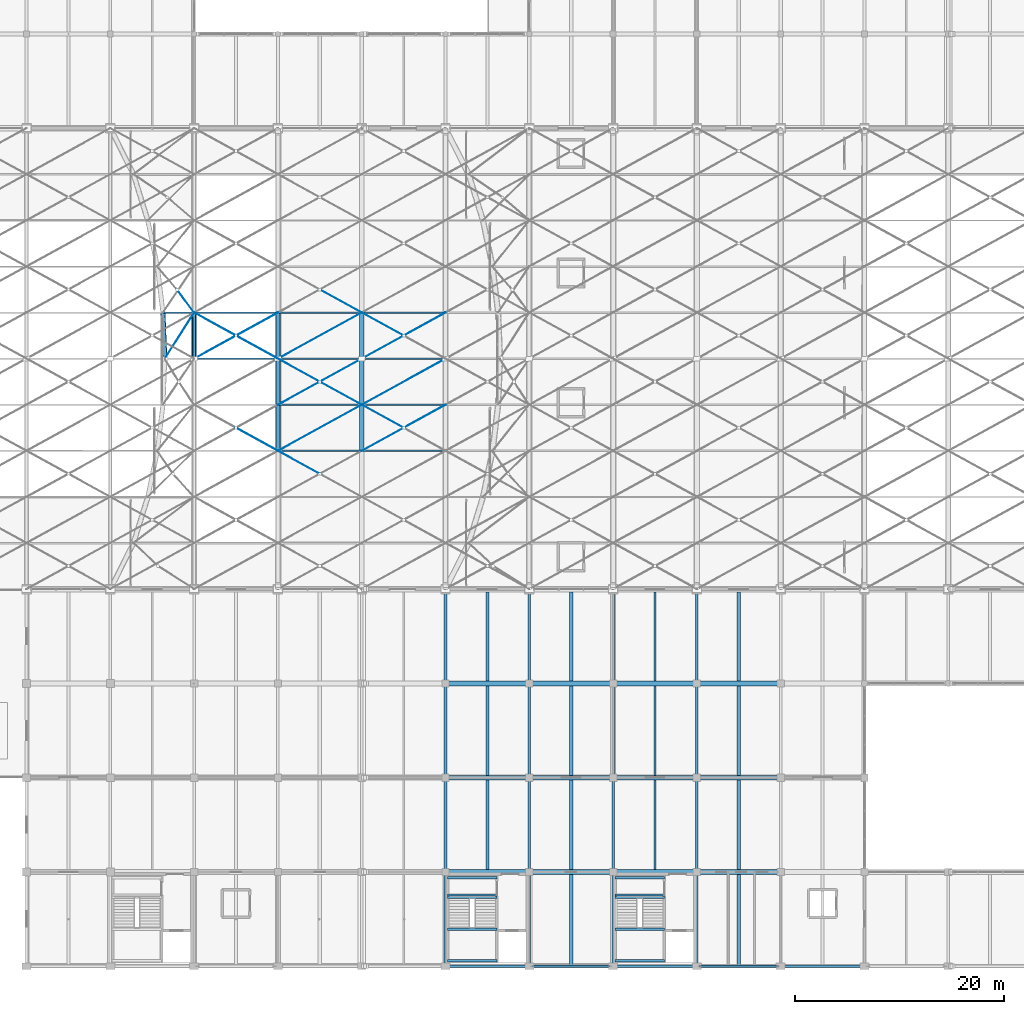
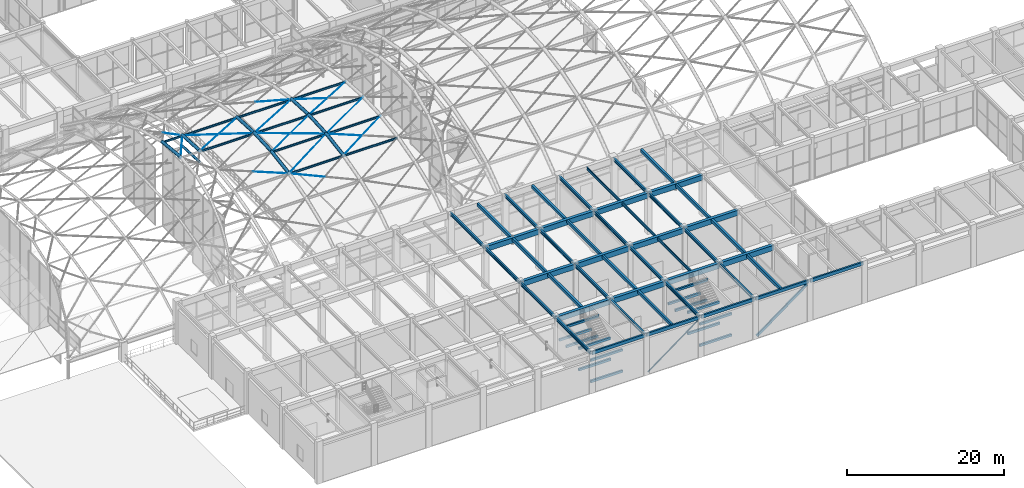
# One storey, part 28 of 163: 81 beams, 20 members.
"""IFC4 building model written with IfcOpenShell, lengths in metres."""

from ifc_helpers import new_model, si_unit, direction, frame, origin, origin_2d, place, context, subcontext, project, spatial, rectangle, hollow_rectangle, circle, hollow_circle, i_section, extrude, material, material_profile, profile_set, type_object, element, save


model = new_model("IFC4")

# Units and contexts
model_context = context("Model", 3, precision=1e-05, world=origin(), true_north=direction((0.0, 1.0)))
body_context = subcontext(model_context, "Body", "Model", "MODEL_VIEW")
ifc_project = project(units=[si_unit("LENGTHUNIT", "METRE"), si_unit("AREAUNIT", "SQUARE_METRE"), si_unit("VOLUMEUNIT", "CUBIC_METRE"), si_unit("PLANEANGLEUNIT", "RADIAN"), si_unit("MASSUNIT", "GRAM", prefix="KILO")], contexts=[model_context])

# Site, building, storey
site_placement = place(None, origin())
site = spatial("IfcSite", under=ifc_project, at=site_placement, CompositionType="ELEMENT")
building_placement = place(site_placement, origin())
building = spatial("IfcBuilding", under=site, at=building_placement, Name="Varnabhumi Central Station", CompositionType="ELEMENT")
storey_placement = place(building_placement, frame((0.0, 0.0, 9.60009765625)))
storey = spatial("IfcBuildingStorey", under=building, at=storey_placement, Name="L02", CompositionType="ELEMENT", Elevation=9.60009765625)

# Beams
ifc_material_1 = material(Name="Structural steel E350", Category="steel")
ifc_material_profile_1 = material_profile(ifc_material_1, hollow_circle(Radius=0.177734375, WallThickness=0.012451171875, at=origin_2d()), Name="Structural steel E350", Category="steel")
ifc_profile_set_1 = profile_set([ifc_material_profile_1], Name="Structural steel E350")
beam_type_1 = type_object("IfcBeamType", Name="BM-ARCH-CHS355", PredefinedType="BEAM", material=ifc_profile_set_1)
beam_1_placement = place(storey_placement, frame((48.0, 58.0, 9.0), z_axis=(0.0, 0.998941160779, -0.046006057233), x_axis=(-1.0, 0.0, 0.0)))
element("IfcBeam", 1, at=beam_1_placement, inside=storey, type_object=beam_type_1, Name="Entrance Portico Vault Arch Rib 5 Seg 6", PredefinedType="BEAM", context=body_context, shape_type="SweptSolid", body=[
    extrude(hollow_circle(Radius=0.177734375, WallThickness=0.012451171875, at=origin_2d()), origin(), (0.0, 0.0, 1.0), 4.404541015625),
])
ifc_material_2 = material(Name="Structural steel E450", Category="steel")
ifc_material_profile_2 = material_profile(ifc_material_2, hollow_circle(Radius=0.228515625, WallThickness=0.01611328125, at=origin_2d()), Name="Structural steel E450", Category="steel")
ifc_profile_set_2 = profile_set([ifc_material_profile_2], Name="Structural steel E450")
beam_type_2 = type_object("IfcBeamType", Name="BM-ARCH-CHS457", PredefinedType="BEAM", material=ifc_profile_set_2)
beam_2_placement = place(storey_placement, frame((45.199951171875, 58.0, 10.75), z_axis=(-0.039809826951, 0.997847985129, -0.052101595495), x_axis=(-0.999205116003, -0.039863970614, 0.0)))
element("IfcBeam", 2, at=beam_2_placement, inside=storey, type_object=beam_type_2, Name="Ticket Hall Vault Arch Rib 1 Seg 6", PredefinedType="BEAM", context=body_context, shape_type="SweptSolid", body=[
    extrude(hollow_circle(Radius=0.228515625, WallThickness=0.01611328125, at=origin_2d()), origin(), (0.0, 0.0, 1.0), 4.409423828125),
])
beam_3_placement = place(storey_placement, frame((48.0, 58.0, 10.75), z_axis=(0.0, 0.998639632098, -0.052142930518), x_axis=(-1.0, 0.0, 0.0)))
element("IfcBeam", 3, at=beam_3_placement, inside=storey, type_object=beam_type_2, Name="Ticket Hall Vault Arch Rib 2 Seg 6", PredefinedType="BEAM", context=body_context, shape_type="SweptSolid", body=[
    extrude(hollow_circle(Radius=0.228515625, WallThickness=0.01611328125, at=origin_2d()), origin(), (0.0, 0.0, 1.0), 4.406005859375),
])
beam_4_placement = place(storey_placement, frame((56.0, 49.199951171875, 9.8232421875), z_axis=(0.0, 0.987684638155, 0.156457839535), x_axis=(-1.0, 0.0, 0.0)))
element("IfcBeam", 4, at=beam_4_placement, inside=storey, type_object=beam_type_2, Name="Ticket Hall Vault Arch Rib 3 Seg 4", PredefinedType="BEAM", context=body_context, shape_type="SweptSolid", body=[
    extrude(hollow_circle(Radius=0.228515625, WallThickness=0.01611328125, at=origin_2d()), origin(), (0.0, 0.0, 1.0), 4.455078125),
])
for number, where, z_axis, x_axis, name in (
    (5, (56.0, 53.60009765625, 10.520263671875), (0.0, 0.998639632098, 0.052142930518), (-1.0, 0.0, 0.0), "Ticket Hall Vault Arch Rib 3 Seg 5"),
    (6, (56.0, 58.0, 10.75), (0.0, 0.998639632098, -0.052142930518), (-1.0, 0.0, 0.0), "Ticket Hall Vault Arch Rib 3 Seg 6"),
):
    element("IfcBeam", number, at=place(storey_placement, frame(where, z_axis=z_axis, x_axis=x_axis)), inside=storey, type_object=beam_type_2, Name=name, PredefinedType="BEAM", context=body_context, shape_type="SweptSolid", body=[
        extrude(hollow_circle(Radius=0.228515625, WallThickness=0.01611328125, at=origin_2d()), origin(), (0.0, 0.0, 1.0), 4.406005859375),
    ])
beam_5_placement = place(storey_placement, frame((64.0, 49.199951171875, 9.8232421875), z_axis=(0.0, 0.987684638155, 0.156457839535), x_axis=(-1.0, 0.0, 0.0)))
element("IfcBeam", 7, at=beam_5_placement, inside=storey, type_object=beam_type_2, Name="Ticket Hall Vault Arch Rib 4 Seg 4", PredefinedType="BEAM", context=body_context, shape_type="SweptSolid", body=[
    extrude(hollow_circle(Radius=0.228515625, WallThickness=0.01611328125, at=origin_2d()), origin(), (0.0, 0.0, 1.0), 4.455078125),
])
for number, where, z_axis, x_axis, name in (
    (8, (64.0, 53.60009765625, 10.520263671875), (0.0, 0.998639632098, 0.052142930518), (-1.0, 0.0, 0.0), "Ticket Hall Vault Arch Rib 4 Seg 5"),
    (9, (64.0, 58.0, 10.75), (0.0, 0.998639632098, -0.052142930518), (-1.0, 0.0, 0.0), "Ticket Hall Vault Arch Rib 4 Seg 6"),
):
    element("IfcBeam", number, at=place(storey_placement, frame(where, z_axis=z_axis, x_axis=x_axis)), inside=storey, type_object=beam_type_2, Name=name, PredefinedType="BEAM", context=body_context, shape_type="SweptSolid", body=[
        extrude(hollow_circle(Radius=0.228515625, WallThickness=0.01611328125, at=origin_2d()), origin(), (0.0, 0.0, 1.0), 4.406005859375),
    ])
ifc_material_profile_3 = material_profile(ifc_material_1, i_section(OverallWidth=0.14990234375, OverallDepth=0.449951171875, WebThickness=0.009521484375, FlangeThickness=0.017333984375, FilletRadius=0.014892578125, at=origin_2d()), Name="Structural steel E350", Category="steel")
ifc_profile_set_3 = profile_set([ifc_material_profile_3], Name="Structural steel E350")
beam_type_3 = type_object("IfcBeamType", Name="BM-JST-ISMB450", PredefinedType="JOIST", material=ifc_profile_set_3)
for number, where, z_axis, x_axis, name in (
    (10, (92.0, 9.22509765625, 6.125), (0.0, 1.0, 0.0), (-1.0, 0.0, 0.0), "Secondary Joist L02-12/13:B-C"),
    (11, (92.0, 18.22509765625, 6.125), (0.0, 1.0, 0.0), (-1.0, 0.0, 0.0), "Secondary Joist L02-12/13:C-D"),
):
    element("IfcBeam", number, at=place(storey_placement, frame(where, z_axis=z_axis, x_axis=x_axis)), inside=storey, type_object=beam_type_3, Name=name, PredefinedType="JOIST", context=body_context, shape_type="SweptSolid", body=[
        extrude(i_section(OverallWidth=0.14990234375, OverallDepth=0.449951171875, WebThickness=0.009521484375, FlangeThickness=0.017333984375, FilletRadius=0.014892578125, at=origin_2d()), origin(), (0.0, 0.0, 1.0), 8.5498046875),
    ])
beam_6_placement = place(storey_placement, frame((92.0, 27.22509765625, 6.125), z_axis=(0.0, 1.0, 0.0), x_axis=(-1.0, 0.0, 0.0)))
element("IfcBeam", 12, at=beam_6_placement, inside=storey, type_object=beam_type_3, Name="Secondary Joist L02-12/13:D-E", PredefinedType="JOIST", context=body_context, shape_type="SweptSolid", body=[
    extrude(i_section(OverallWidth=0.14990234375, OverallDepth=0.449951171875, WebThickness=0.009521484375, FlangeThickness=0.017333984375, FilletRadius=0.014892578125, at=origin_2d()), origin(), (0.0, 0.0, 1.0), 8.52490234375),
])
ifc_material_profile_4 = material_profile(ifc_material_1, i_section(OverallWidth=0.139892578125, OverallDepth=0.300048828125, WebThickness=0.0078125, FlangeThickness=0.01318359375, FilletRadius=0.013916015625, at=origin_2d()), Name="Structural steel E350", Category="steel")
ifc_profile_set_4 = profile_set([ifc_material_profile_4], Name="Structural steel E350")
beam_type_4 = type_object("IfcBeamType", Name="BM-PUR-ISMB300", PredefinedType="LINTEL", material=ifc_profile_set_4)
beam_7_placement = place(storey_placement, frame((45.0244140625, 62.39990234375, 10.370361328125), z_axis=(1.0, 0.0, 0.0), x_axis=(0.0, 1.0, 0.0)))
element("IfcBeam", 13, at=beam_7_placement, inside=storey, type_object=beam_type_4, Name="Ticket Hall Vault Purlin B1-L6", PredefinedType="LINTEL", context=body_context, shape_type="SweptSolid", body=[
    extrude(i_section(OverallWidth=0.139892578125, OverallDepth=0.300048828125, WebThickness=0.0078125, FlangeThickness=0.01318359375, FilletRadius=0.013916015625, at=origin_2d()), origin(), (0.0, 0.0, 1.0), 2.9755859375),
])
for number, where, z_axis, x_axis, name in (
    (14, (48.0, 58.0, 10.599853515625), (1.0, 0.0, 0.0), (0.0, 1.0, 0.0), "Ticket Hall Vault Purlin B2-L5"),
    (15, (48.0, 62.39990234375, 10.370361328125), (1.0, 0.0, 0.0), (0.0, 1.0, 0.0), "Ticket Hall Vault Purlin B2-L6"),
    (16, (56.0, 49.199951171875, 9.67333984375), (1.0, 0.0, 0.0), (0.0, 1.0, 0.0), "Ticket Hall Vault Purlin B3-L3"),
    (17, (56.0, 53.60009765625, 10.370361328125), (1.0, 0.0, 0.0), (0.0, 1.0, 0.0), "Ticket Hall Vault Purlin B3-L4"),
    (18, (56.0, 58.0, 10.599853515625), (1.0, 0.0, 0.0), (0.0, 1.0, 0.0), "Ticket Hall Vault Purlin B3-L5"),
    (19, (56.0, 62.39990234375, 10.370361328125), (1.0, 0.0, 0.0), (0.0, 1.0, 0.0), "Ticket Hall Vault Purlin B3-L6"),
    (20, (64.0, 49.199951171875, 9.67333984375), (1.0, 0.0, 0.0), (0.0, 1.0, 0.0), "Ticket Hall Vault Purlin B4-L3"),
    (21, (64.0, 53.60009765625, 10.370361328125), (1.0, 0.0, 0.0), (0.0, 1.0, 0.0), "Ticket Hall Vault Purlin B4-L4"),
    (22, (64.0, 58.0, 10.599853515625), (1.0, 0.0, 0.0), (0.0, 1.0, 0.0), "Ticket Hall Vault Purlin B4-L5"),
    (23, (64.0, 62.39990234375, 10.370361328125), (1.0, 0.0, 0.0), (0.0, 1.0, 0.0), "Ticket Hall Vault Purlin B4-L6"),
):
    element("IfcBeam", number, at=place(storey_placement, frame(where, z_axis=z_axis, x_axis=x_axis)), inside=storey, type_object=beam_type_4, Name=name, PredefinedType="LINTEL", context=body_context, shape_type="SweptSolid", body=[
        extrude(i_section(OverallWidth=0.139892578125, OverallDepth=0.300048828125, WebThickness=0.0078125, FlangeThickness=0.01318359375, FilletRadius=0.013916015625, at=origin_2d()), origin(), (0.0, 0.0, 1.0), 8.0),
    ])
ifc_material_3 = material(Name="Concrete M35", Category="concrete")
ifc_material_profile_5 = material_profile(ifc_material_3, rectangle(XDim=0.25, YDim=0.35009765625, at=origin_2d()), Name="Concrete M35", Category="concrete")
ifc_profile_set_5 = profile_set([ifc_material_profile_5], Name="Concrete M35")
beam_type_5 = type_object("IfcBeamType", Name="BM-RC-250x350", PredefinedType="LINTEL", material=ifc_profile_set_5)
for number, where, z_axis, x_axis, name in (
    (24, (88.179931640625, 0.5400390625, 1.294921875), (1.0, 0.0, 0.0), (0.0, 1.0, 0.0), "ST-S2 L02 Quarter Landing 1 Support Beam 1"),
    (25, (88.179931640625, 3.550048828125, 1.294921875), (1.0, 0.0, 0.0), (0.0, 1.0, 0.0), "ST-S2 L02 Quarter Landing 1 Support Beam 2"),
    (26, (88.179931640625, 6.760009765625, 2.94482421875), (1.0, 0.0, 0.0), (0.0, 1.0, 0.0), "ST-S2 L02 Mid-Height Landing Support Beam 1"),
    (27, (88.179931640625, 8.4599609375, 2.94482421875), (1.0, 0.0, 0.0), (0.0, 1.0, 0.0), "ST-S2 L02 Mid-Height Landing Support Beam 2"),
    (28, (88.179931640625, 0.5400390625, 4.594970703125), (1.0, 0.0, 0.0), (0.0, 1.0, 0.0), "ST-S2 L02 Quarter Landing 3 Support Beam 1"),
    (29, (88.179931640625, 3.550048828125, 4.594970703125), (1.0, 0.0, 0.0), (0.0, 1.0, 0.0), "ST-S2 L02 Quarter Landing 3 Support Beam 2"),
    (30, (88.179931640625, 6.580078125, 6.1748046875), (1.0, 0.0, 0.0), (0.0, 1.0, 0.0), "ST-S2 L02 Floor Opening Trimmer Beam"),
    (31, (72.179931640625, 0.5400390625, 1.294921875), (1.0, 0.0, 0.0), (0.0, 1.0, 0.0), "ST-S4 L02 Quarter Landing 1 Support Beam 1"),
    (32, (72.179931640625, 3.550048828125, 1.294921875), (1.0, 0.0, 0.0), (0.0, 1.0, 0.0), "ST-S4 L02 Quarter Landing 1 Support Beam 2"),
    (33, (72.179931640625, 6.760009765625, 2.94482421875), (1.0, 0.0, 0.0), (0.0, 1.0, 0.0), "ST-S4 L02 Mid-Height Landing Support Beam 1"),
    (34, (72.179931640625, 8.4599609375, 2.94482421875), (1.0, 0.0, 0.0), (0.0, 1.0, 0.0), "ST-S4 L02 Mid-Height Landing Support Beam 2"),
    (35, (72.179931640625, 0.5400390625, 4.594970703125), (1.0, 0.0, 0.0), (0.0, 1.0, 0.0), "ST-S4 L02 Quarter Landing 3 Support Beam 1"),
    (36, (72.179931640625, 3.550048828125, 4.594970703125), (1.0, 0.0, 0.0), (0.0, 1.0, 0.0), "ST-S4 L02 Quarter Landing 3 Support Beam 2"),
    (37, (72.179931640625, 6.580078125, 6.1748046875), (1.0, 0.0, 0.0), (0.0, 1.0, 0.0), "ST-S4 L02 Floor Opening Trimmer Beam"),
):
    element("IfcBeam", number, at=place(storey_placement, frame(where, z_axis=z_axis, x_axis=x_axis)), inside=storey, type_object=beam_type_5, Name=name, PredefinedType="LINTEL", context=body_context, shape_type="SweptSolid", body=[
        extrude(rectangle(XDim=0.25, YDim=0.35009765625, at=origin_2d()), origin(), (0.0, 0.0, 1.0), 4.719970703125),
    ])
ifc_material_4 = material(Name="Concrete M40", Category="concrete")
ifc_material_profile_6 = material_profile(ifc_material_4, rectangle(XDim=0.25, YDim=0.5, at=origin_2d()), Name="Concrete M40", Category="concrete")
ifc_profile_set_6 = profile_set([ifc_material_profile_6], Name="Concrete M40")
beam_type_6 = type_object("IfcBeamType", Name="BM-RC-250x500", PredefinedType="SPANDREL", material=ifc_profile_set_6)
for number, where, z_axis, x_axis, name in (
    (38, (72.10009765625, 0.0, 6.099853515625), (1.0, 0.0, 0.0), (0.0, 1.0, 0.0), "Beam L02-A:10-11"),
    (39, (80.10009765625, 0.0, 6.099853515625), (1.0, 0.0, 0.0), (0.0, 1.0, 0.0), "Beam L02-A:11-12"),
    (40, (88.10009765625, 0.0, 6.099853515625), (1.0, 0.0, 0.0), (0.0, 1.0, 0.0), "Beam L02-A:12-13"),
    (41, (96.10009765625, 0.0, 6.099853515625), (1.0, 0.0, 0.0), (0.0, 1.0, 0.0), "Beam L02-A:13-14"),
    (42, (104.10009765625, 0.0, 6.099853515625), (1.0, 0.0, 0.0), (0.0, 1.0, 0.0), "Beam L02-A:14-15"),
):
    element("IfcBeam", number, at=place(storey_placement, frame(where, z_axis=z_axis, x_axis=x_axis)), inside=storey, type_object=beam_type_6, Name=name, PredefinedType="SPANDREL", context=body_context, shape_type="SweptSolid", body=[
        extrude(rectangle(XDim=0.25, YDim=0.5, at=origin_2d()), origin(), (0.0, 0.0, 1.0), 7.7998046875),
    ])
ifc_material_profile_7 = material_profile(ifc_material_4, rectangle(XDim=0.300048828125, YDim=0.449951171875, at=origin_2d()), Name="Concrete M40", Category="concrete")
ifc_profile_set_7 = profile_set([ifc_material_profile_7], Name="Concrete M40")
beam_type_7 = type_object("IfcBeamType", Name="BM-RC-300x450", PredefinedType="JOIST", material=ifc_profile_set_7)
beam_8_placement = place(storey_placement, frame((84.0, 0.125, 6.125), z_axis=(0.0, 1.0, 0.0), x_axis=(-1.0, 0.0, 0.0)))
element("IfcBeam", 43, at=beam_8_placement, inside=storey, type_object=beam_type_7, Name="Secondary Joist L02-11/12:A-B", PredefinedType="JOIST", context=body_context, shape_type="SweptSolid", body=[
    extrude(rectangle(XDim=0.300048828125, YDim=0.449951171875, at=origin_2d()), origin(), (0.0, 0.0, 1.0), 8.64990234375),
])
for number, where, z_axis, x_axis, name in (
    (44, (84.0, 9.22509765625, 6.125), (0.0, 1.0, 0.0), (-1.0, 0.0, 0.0), "Secondary Joist L02-11/12:B-C"),
    (45, (84.0, 18.22509765625, 6.125), (0.0, 1.0, 0.0), (-1.0, 0.0, 0.0), "Secondary Joist L02-11/12:C-D"),
):
    element("IfcBeam", number, at=place(storey_placement, frame(where, z_axis=z_axis, x_axis=x_axis)), inside=storey, type_object=beam_type_7, Name=name, PredefinedType="JOIST", context=body_context, shape_type="SweptSolid", body=[
        extrude(rectangle(XDim=0.300048828125, YDim=0.449951171875, at=origin_2d()), origin(), (0.0, 0.0, 1.0), 8.5498046875),
    ])
beam_9_placement = place(storey_placement, frame((84.0, 27.22509765625, 6.125), z_axis=(0.0, 1.0, 0.0), x_axis=(-1.0, 0.0, 0.0)))
element("IfcBeam", 46, at=beam_9_placement, inside=storey, type_object=beam_type_7, Name="Secondary Joist L02-11/12:D-E", PredefinedType="JOIST", context=body_context, shape_type="SweptSolid", body=[
    extrude(rectangle(XDim=0.300048828125, YDim=0.449951171875, at=origin_2d()), origin(), (0.0, 0.0, 1.0), 8.52490234375),
])
ifc_material_profile_8 = material_profile(ifc_material_4, rectangle(XDim=0.300048828125, YDim=0.5, at=origin_2d()), Name="Concrete M40", Category="concrete")
ifc_profile_set_8 = profile_set([ifc_material_profile_8], Name="Concrete M40")
beam_type_8 = type_object("IfcBeamType", Name="BM-RC-300x500", PredefinedType="JOIST", material=ifc_profile_set_8)
beam_10_placement = place(storey_placement, frame((100.0, 0.125, 6.099853515625), z_axis=(0.0, 1.0, 0.0), x_axis=(-1.0, 0.0, 0.0)))
element("IfcBeam", 47, at=beam_10_placement, inside=storey, type_object=beam_type_8, Name="Secondary Joist L02-13/14:A-B", PredefinedType="JOIST", context=body_context, shape_type="SweptSolid", body=[
    extrude(rectangle(XDim=0.300048828125, YDim=0.5, at=origin_2d()), origin(), (0.0, 0.0, 1.0), 8.64990234375),
])
for number, where, z_axis, x_axis, name in (
    (48, (76.0, 9.22509765625, 6.099853515625), (0.0, 1.0, 0.0), (-1.0, 0.0, 0.0), "Secondary Joist L02-10/11:B-C"),
    (49, (100.0, 9.22509765625, 6.099853515625), (0.0, 1.0, 0.0), (-1.0, 0.0, 0.0), "Secondary Joist L02-13/14:B-C"),
    (50, (76.0, 18.22509765625, 6.099853515625), (0.0, 1.0, 0.0), (-1.0, 0.0, 0.0), "Secondary Joist L02-10/11:C-D"),
    (51, (100.0, 18.22509765625, 6.099853515625), (0.0, 1.0, 0.0), (-1.0, 0.0, 0.0), "Secondary Joist L02-13/14:C-D"),
):
    element("IfcBeam", number, at=place(storey_placement, frame(where, z_axis=z_axis, x_axis=x_axis)), inside=storey, type_object=beam_type_8, Name=name, PredefinedType="JOIST", context=body_context, shape_type="SweptSolid", body=[
        extrude(rectangle(XDim=0.300048828125, YDim=0.5, at=origin_2d()), origin(), (0.0, 0.0, 1.0), 8.5498046875),
    ])
for number, where, z_axis, x_axis, name in (
    (52, (76.0, 27.22509765625, 6.099853515625), (0.0, 1.0, 0.0), (-1.0, 0.0, 0.0), "Secondary Joist L02-10/11:D-E"),
    (53, (100.0, 27.22509765625, 6.099853515625), (0.0, 1.0, 0.0), (-1.0, 0.0, 0.0), "Secondary Joist L02-13/14:D-E"),
):
    element("IfcBeam", number, at=place(storey_placement, frame(where, z_axis=z_axis, x_axis=x_axis)), inside=storey, type_object=beam_type_8, Name=name, PredefinedType="JOIST", context=body_context, shape_type="SweptSolid", body=[
        extrude(rectangle(XDim=0.300048828125, YDim=0.5, at=origin_2d()), origin(), (0.0, 0.0, 1.0), 8.52490234375),
    ])
ifc_material_profile_9 = material_profile(ifc_material_4, rectangle(XDim=0.449951171875, YDim=0.800048828125, at=origin_2d()), Name="Concrete M40", Category="concrete")
ifc_profile_set_9 = profile_set([ifc_material_profile_9], Name="Concrete M40")
beam_type_9 = type_object("IfcBeamType", Name="BM-RC-450x800", PredefinedType="BEAM", material=ifc_profile_set_9)
for number, where, z_axis, x_axis, name in (
    (54, (72.10009765625, 9.0, 5.949951171875), (1.0, 0.0, 0.0), (0.0, 1.0, 0.0), "Beam L02-B:10-11"),
    (55, (72.10009765625, 18.0, 5.949951171875), (1.0, 0.0, 0.0), (0.0, 1.0, 0.0), "Beam L02-C:10-11"),
    (56, (72.10009765625, 27.0, 5.949951171875), (1.0, 0.0, 0.0), (0.0, 1.0, 0.0), "Beam L02-D:10-11"),
    (57, (80.10009765625, 9.0, 5.949951171875), (1.0, 0.0, 0.0), (0.0, 1.0, 0.0), "Beam L02-B:11-12"),
    (58, (80.10009765625, 18.0, 5.949951171875), (1.0, 0.0, 0.0), (0.0, 1.0, 0.0), "Beam L02-C:11-12"),
    (59, (80.10009765625, 27.0, 5.949951171875), (1.0, 0.0, 0.0), (0.0, 1.0, 0.0), "Beam L02-D:11-12"),
    (60, (88.10009765625, 9.0, 5.949951171875), (1.0, 0.0, 0.0), (0.0, 1.0, 0.0), "Beam L02-B:12-13"),
    (61, (88.10009765625, 18.0, 5.949951171875), (1.0, 0.0, 0.0), (0.0, 1.0, 0.0), "Beam L02-C:12-13"),
    (62, (88.10009765625, 27.0, 5.949951171875), (1.0, 0.0, 0.0), (0.0, 1.0, 0.0), "Beam L02-D:12-13"),
    (63, (96.10009765625, 9.0, 5.949951171875), (1.0, 0.0, 0.0), (0.0, 1.0, 0.0), "Beam L02-B:13-14"),
    (64, (96.10009765625, 18.0, 5.949951171875), (1.0, 0.0, 0.0), (0.0, 1.0, 0.0), "Beam L02-C:13-14"),
    (65, (96.10009765625, 27.0, 5.949951171875), (1.0, 0.0, 0.0), (0.0, 1.0, 0.0), "Beam L02-D:13-14"),
):
    element("IfcBeam", number, at=place(storey_placement, frame(where, z_axis=z_axis, x_axis=x_axis)), inside=storey, type_object=beam_type_9, Name=name, PredefinedType="BEAM", context=body_context, shape_type="SweptSolid", body=[
        extrude(rectangle(XDim=0.449951171875, YDim=0.800048828125, at=origin_2d()), origin(), (0.0, 0.0, 1.0), 7.7998046875),
    ])
ifc_material_profile_10 = material_profile(ifc_material_1, i_section(OverallWidth=0.25, OverallDepth=0.5, WebThickness=0.010009765625, FlangeThickness=0.0146484375, FilletRadius=0.014892578125, at=origin_2d()), Name="Structural steel E350", Category="steel")
ifc_profile_set_10 = profile_set([ifc_material_profile_10], Name="Structural steel E350")
beam_type_10 = type_object("IfcBeamType", Name="BM-SEC-ISWB500", PredefinedType="BEAM", material=ifc_profile_set_10)
for number, where, z_axis, x_axis, name in (
    (66, (72.0, 0.10009765625, 6.099853515625), (0.0, 1.0, 0.0), (-1.0, 0.0, 0.0), "Beam L02-10:A-B"),
    (67, (80.0, 0.10009765625, 6.099853515625), (0.0, 1.0, 0.0), (-1.0, 0.0, 0.0), "Beam L02-11:A-B"),
    (68, (88.0, 0.10009765625, 6.099853515625), (0.0, 1.0, 0.0), (-1.0, 0.0, 0.0), "Beam L02-12:A-B"),
    (69, (96.0, 0.10009765625, 6.099853515625), (0.0, 1.0, 0.0), (-1.0, 0.0, 0.0), "Beam L02-13:A-B"),
    (70, (72.0, 9.10009765625, 6.099853515625), (0.0, 1.0, 0.0), (-1.0, 0.0, 0.0), "Beam L02-10:B-C"),
    (71, (80.0, 9.10009765625, 6.099853515625), (0.0, 1.0, 0.0), (-1.0, 0.0, 0.0), "Beam L02-11:B-C"),
    (72, (88.0, 9.10009765625, 6.099853515625), (0.0, 1.0, 0.0), (-1.0, 0.0, 0.0), "Beam L02-12:B-C"),
    (73, (96.0, 9.10009765625, 6.099853515625), (0.0, 1.0, 0.0), (-1.0, 0.0, 0.0), "Beam L02-13:B-C"),
    (74, (72.0, 18.10009765625, 6.099853515625), (0.0, 1.0, 0.0), (-1.0, 0.0, 0.0), "Beam L02-10:C-D"),
    (75, (80.0, 18.10009765625, 6.099853515625), (0.0, 1.0, 0.0), (-1.0, 0.0, 0.0), "Beam L02-11:C-D"),
    (76, (88.0, 18.10009765625, 6.099853515625), (0.0, 1.0, 0.0), (-1.0, 0.0, 0.0), "Beam L02-12:C-D"),
    (77, (96.0, 18.10009765625, 6.099853515625), (0.0, 1.0, 0.0), (-1.0, 0.0, 0.0), "Beam L02-13:C-D"),
    (78, (72.0, 27.10009765625, 6.099853515625), (0.0, 1.0, 0.0), (-1.0, 0.0, 0.0), "Beam L02-10:D-E"),
    (79, (80.0, 27.10009765625, 6.099853515625), (0.0, 1.0, 0.0), (-1.0, 0.0, 0.0), "Beam L02-11:D-E"),
    (80, (88.0, 27.10009765625, 6.099853515625), (0.0, 1.0, 0.0), (-1.0, 0.0, 0.0), "Beam L02-12:D-E"),
    (81, (96.0, 27.10009765625, 6.099853515625), (0.0, 1.0, 0.0), (-1.0, 0.0, 0.0), "Beam L02-13:D-E"),
):
    element("IfcBeam", number, at=place(storey_placement, frame(where, z_axis=z_axis, x_axis=x_axis)), inside=storey, type_object=beam_type_10, Name=name, PredefinedType="BEAM", context=body_context, shape_type="SweptSolid", body=[
        extrude(i_section(OverallWidth=0.25, OverallDepth=0.5, WebThickness=0.010009765625, FlangeThickness=0.0146484375, FilletRadius=0.014892578125, at=origin_2d()), origin(), (0.0, 0.0, 1.0), 8.7998046875),
    ])

# Members
ifc_material_5 = material(Name="Spiral-strand steel S1570", Category="steel")
ifc_material_profile_11 = material_profile(ifc_material_5, circle(Radius=0.02099609375, at=origin_2d()), Name="Spiral-strand steel S1570", Category="steel")
ifc_profile_set_11 = profile_set([ifc_material_profile_11], Name="Spiral-strand steel S1570")
member_type_1 = type_object("IfcMemberType", Name="MBR-CABLE-D42", PredefinedType="USERDEFINED", material=ifc_profile_set_11)
member_1_placement = place(storey_placement, frame((45.199951171875, 58.0, 10.669921875), z_axis=(0.536370492597, 0.842834511953, -0.044007728096), x_axis=(-0.843651849763, 0.536890637273, 0.0)))
element("IfcMember", 82, at=member_1_placement, inside=storey, type_object=member_type_1, Name="Ticket Hall Vault Cable-Net Tie B1-P6A", ObjectType="TENSION CABLE", PredefinedType="USERDEFINED", context=body_context, shape_type="SweptSolid", body=[
    extrude(circle(Radius=0.02099609375, at=origin_2d()), origin(), (0.0, 0.0, 1.0), 5.220458984375),
])
member_2_placement = place(storey_placement, frame((46.37890625, 64.60009765625, 10.091796875), z_axis=(0.588412813661, -0.798610885047, 0.126455585105), x_axis=(0.805073799921, 0.593174659507, 0.0)))
element("IfcMember", 83, at=member_2_placement, inside=storey, type_object=member_type_1, Name="Ticket Hall Vault Cable-Net Split Tie B1-P7B2", ObjectType="TENSION CABLE", PredefinedType="USERDEFINED", context=body_context, shape_type="SweptSolid", body=[
    extrude(circle(Radius=0.02099609375, at=origin_2d()), origin(), (0.0, 0.0, 1.0), 2.755126953125),
])
member_3_placement = place(storey_placement, frame((52.0, 51.39990234375, 10.091796875), z_axis=(0.87367988438, -0.480513271371, -0.076095043641), x_axis=(0.481910537812, 0.876220425204, 0.0)))
element("IfcMember", 84, at=member_3_placement, inside=storey, type_object=member_type_1, Name="Ticket Hall Vault Cable-Net Split Tie B2-P4B2", ObjectType="TENSION CABLE", PredefinedType="USERDEFINED", context=body_context, shape_type="SweptSolid", body=[
    extrude(circle(Radius=0.02099609375, at=origin_2d()), origin(), (0.0, 0.0, 1.0), 4.578369140625),
])
member_4_placement = place(storey_placement, frame((48.0, 58.0, 10.669921875), z_axis=(0.875943167688, 0.481758049563, -0.025154495874), x_axis=(-0.481910537812, 0.876220425204, 0.0)))
element("IfcMember", 85, at=member_4_placement, inside=storey, type_object=member_type_1, Name="Ticket Hall Vault Cable-Net Tie B2-P6A", ObjectType="TENSION CABLE", PredefinedType="USERDEFINED", context=body_context, shape_type="SweptSolid", body=[
    extrude(circle(Radius=0.02099609375, at=origin_2d()), origin(), (0.0, 0.0, 1.0), 9.133056640625),
])
for number, where, z_axis, x_axis, name in (
    (86, (48.0, 62.39990234375, 10.440185546875), (0.875942578372, -0.481757725446, 0.025181210597), (0.481910537812, 0.876220425204, 0.0), "Ticket Hall Vault Cable-Net Split Tie B2-P6B1"),
    (87, (52.0, 60.199951171875, 10.55517578125), (0.875943756378, -0.481758373335, 0.025127781097), (0.481910537812, 0.876220425204, 0.0), "Ticket Hall Vault Cable-Net Split Tie B2-P6B2"),
):
    element("IfcMember", number, at=place(storey_placement, frame(where, z_axis=z_axis, x_axis=x_axis)), inside=storey, type_object=member_type_1, Name=name, ObjectType="TENSION CABLE", PredefinedType="USERDEFINED", context=body_context, shape_type="SweptSolid", body=[
        extrude(circle(Radius=0.02099609375, at=origin_2d()), origin(), (0.0, 0.0, 1.0), 4.56640625),
    ])
member_5_placement = place(storey_placement, frame((56.0, 49.199951171875, 9.743408203125), z_axis=(0.868800425867, -0.477829628753, -0.1298640285), x_axis=(0.481910537812, 0.876220425204, 0.0)))
element("IfcMember", 88, at=member_5_placement, inside=storey, type_object=member_type_1, Name="Ticket Hall Vault Cable-Net Split Tie B3-P3B1", ObjectType="TENSION CABLE", PredefinedType="USERDEFINED", context=body_context, shape_type="SweptSolid", body=[
    extrude(circle(Radius=0.02099609375, at=origin_2d()), origin(), (0.0, 0.0, 1.0), 4.60400390625),
])
member_6_placement = place(storey_placement, frame((56.0, 49.199951171875, 9.743408203125), z_axis=(0.873668690933, 0.480533777365, 0.076094068723), x_axis=(-0.481931067474, 0.876209133828, 0.0)))
element("IfcMember", 89, at=member_6_placement, inside=storey, type_object=member_type_1, Name="Ticket Hall Vault Cable-Net Tie B3-P4A", ObjectType="TENSION CABLE", PredefinedType="USERDEFINED", context=body_context, shape_type="SweptSolid", body=[
    extrude(circle(Radius=0.02099609375, at=origin_2d()), origin(), (0.0, 0.0, 1.0), 9.15673828125),
])
member_7_placement = place(storey_placement, frame((56.0, 53.60009765625, 10.440185546875), z_axis=(0.875943167688, 0.481758049563, 0.025154495874), x_axis=(-0.481910537812, 0.876220425204, 0.0)))
element("IfcMember", 90, at=member_7_placement, inside=storey, type_object=member_type_1, Name="Ticket Hall Vault Cable-Net Tie B3-P5A", ObjectType="TENSION CABLE", PredefinedType="USERDEFINED", context=body_context, shape_type="SweptSolid", body=[
    extrude(circle(Radius=0.02099609375, at=origin_2d()), origin(), (0.0, 0.0, 1.0), 9.133056640625),
])
for number, where, z_axis, x_axis, name in (
    (91, (56.0, 58.0, 10.669921875), (0.875943756378, -0.481758373335, -0.025127781097), (0.481910537812, 0.876220425204, 0.0), "Ticket Hall Vault Cable-Net Split Tie B3-P5B1"),
    (92, (60.0, 55.800048828125, 10.55517578125), (0.875942578372, -0.481757725446, -0.025181210597), (0.481910537812, 0.876220425204, 0.0), "Ticket Hall Vault Cable-Net Split Tie B3-P5B2"),
):
    element("IfcMember", number, at=place(storey_placement, frame(where, z_axis=z_axis, x_axis=x_axis)), inside=storey, type_object=member_type_1, Name=name, ObjectType="TENSION CABLE", PredefinedType="USERDEFINED", context=body_context, shape_type="SweptSolid", body=[
        extrude(circle(Radius=0.02099609375, at=origin_2d()), origin(), (0.0, 0.0, 1.0), 4.56640625),
    ])
member_8_placement = place(storey_placement, frame((56.0, 58.0, 10.669921875), z_axis=(0.875943167688, 0.481758049563, -0.025154495874), x_axis=(-0.481910537812, 0.876220425204, 0.0)))
element("IfcMember", 93, at=member_8_placement, inside=storey, type_object=member_type_1, Name="Ticket Hall Vault Cable-Net Tie B3-P6A", ObjectType="TENSION CABLE", PredefinedType="USERDEFINED", context=body_context, shape_type="SweptSolid", body=[
    extrude(circle(Radius=0.02099609375, at=origin_2d()), origin(), (0.0, 0.0, 1.0), 9.133056640625),
])
member_9_placement = place(storey_placement, frame((60.0, 64.60009765625, 10.091796875), z_axis=(0.873657497296, -0.48055428257, 0.076093093789), x_axis=(0.481951596342, 0.876197842262, 0.0)))
element("IfcMember", 94, at=member_9_placement, inside=storey, type_object=member_type_1, Name="Ticket Hall Vault Cable-Net Split Tie B3-P7B2", ObjectType="TENSION CABLE", PredefinedType="USERDEFINED", context=body_context, shape_type="SweptSolid", body=[
    extrude(circle(Radius=0.02099609375, at=origin_2d()), origin(), (0.0, 0.0, 1.0), 4.578369140625),
])
member_10_placement = place(storey_placement, frame((64.0, 49.199951171875, 9.743408203125), z_axis=(0.873668690933, 0.480533777365, 0.076094068723), x_axis=(-0.481931067474, 0.876209133828, 0.0)))
element("IfcMember", 95, at=member_10_placement, inside=storey, type_object=member_type_1, Name="Ticket Hall Vault Cable-Net Tie B4-P4A", ObjectType="TENSION CABLE", PredefinedType="USERDEFINED", context=body_context, shape_type="SweptSolid", body=[
    extrude(circle(Radius=0.02099609375, at=origin_2d()), origin(), (0.0, 0.0, 1.0), 9.15673828125),
])
member_11_placement = place(storey_placement, frame((64.0, 53.60009765625, 10.440185546875), z_axis=(0.873657497296, -0.48055428257, -0.076093093789), x_axis=(0.481951596342, 0.876197842262, 0.0)))
element("IfcMember", 96, at=member_11_placement, inside=storey, type_object=member_type_1, Name="Ticket Hall Vault Cable-Net Split Tie B4-P4B1", ObjectType="TENSION CABLE", PredefinedType="USERDEFINED", context=body_context, shape_type="SweptSolid", body=[
    extrude(circle(Radius=0.02099609375, at=origin_2d()), origin(), (0.0, 0.0, 1.0), 4.578369140625),
])
for number, where, z_axis, x_axis, name in (
    (97, (64.0, 53.60009765625, 10.440185546875), (0.875943167688, 0.481758049563, 0.025154495874), (-0.481910537812, 0.876220425204, 0.0), "Ticket Hall Vault Cable-Net Tie B4-P5A"),
    (98, (64.0, 58.0, 10.669921875), (0.875943167688, 0.481758049563, -0.025154495874), (-0.481910537812, 0.876220425204, 0.0), "Ticket Hall Vault Cable-Net Tie B4-P6A"),
):
    element("IfcMember", number, at=place(storey_placement, frame(where, z_axis=z_axis, x_axis=x_axis)), inside=storey, type_object=member_type_1, Name=name, ObjectType="TENSION CABLE", PredefinedType="USERDEFINED", context=body_context, shape_type="SweptSolid", body=[
        extrude(circle(Radius=0.02099609375, at=origin_2d()), origin(), (0.0, 0.0, 1.0), 9.133056640625),
    ])
member_12_placement = place(storey_placement, frame((64.0, 62.39990234375, 10.440185546875), z_axis=(0.875942578372, -0.481757725446, 0.025181210597), x_axis=(0.481910537812, 0.876220425204, 0.0)))
element("IfcMember", 99, at=member_12_placement, inside=storey, type_object=member_type_1, Name="Ticket Hall Vault Cable-Net Split Tie B4-P6B1", ObjectType="TENSION CABLE", PredefinedType="USERDEFINED", context=body_context, shape_type="SweptSolid", body=[
    extrude(circle(Radius=0.02099609375, at=origin_2d()), origin(), (0.0, 0.0, 1.0), 4.56640625),
])
ifc_material_profile_12 = material_profile(ifc_material_1, hollow_rectangle(XDim=0.199951171875, YDim=0.39990234375, WallThickness=0.011962890625, InnerFilletRadius=0.011962890625, OuterFilletRadius=0.02392578125, at=origin_2d()), Name="Structural steel E350", Category="steel")
ifc_profile_set_12 = profile_set([ifc_material_profile_12], Name="Structural steel E350")
member_type_2 = type_object("IfcMemberType", Name="MBR-GIRT-RHS400", PredefinedType="STUD", material=ifc_profile_set_12)
member_13_placement = place(storey_placement, frame((96.320068359375, 0.0, 0.25), z_axis=(0.803651161505, 0.0, 0.595100672669), x_axis=(0.0, 1.0, 0.0)))
element("IfcMember", 100, at=member_13_placement, inside=storey, type_object=member_type_2, Name="Lateral Frame Brace WB-17", PredefinedType="STUD", context=body_context, shape_type="SweptSolid", body=[
    extrude(hollow_rectangle(XDim=0.199951171875, YDim=0.39990234375, WallThickness=0.011962890625, InnerFilletRadius=0.011962890625, OuterFilletRadius=0.02392578125, at=origin_2d()), origin(), (0.0, 0.0, 1.0), 9.157958984375),
])
ifc_material_profile_13 = material_profile(ifc_material_1, hollow_rectangle(XDim=0.14990234375, YDim=0.14990234375, WallThickness=0.008056640625, InnerFilletRadius=0.008056640625, OuterFilletRadius=0.01611328125, at=origin_2d()), Name="Structural steel E350", Category="steel")
ifc_profile_set_13 = profile_set([ifc_material_profile_13], Name="Structural steel E350")
member_type_3 = type_object("IfcMemberType", Name="MBR-RAFT-SHS150", PredefinedType="RAFTER", material=ifc_profile_set_13)
member_14_placement = place(storey_placement, frame((80.320068359375, 0.0, 0.25), z_axis=(0.803651161505, 0.0, 0.595100672669), x_axis=(0.0, 1.0, 0.0)))
element("IfcMember", 101, at=member_14_placement, inside=storey, type_object=member_type_3, Name="Lateral Frame Brace WB-16", PredefinedType="RAFTER", context=body_context, shape_type="SweptSolid", body=[
    extrude(hollow_rectangle(XDim=0.14990234375, YDim=0.14990234375, WallThickness=0.008056640625, InnerFilletRadius=0.008056640625, OuterFilletRadius=0.01611328125, at=origin_2d()), origin(), (0.0, 0.0, 1.0), 9.157958984375),
])

save(model, "model.ifc")
